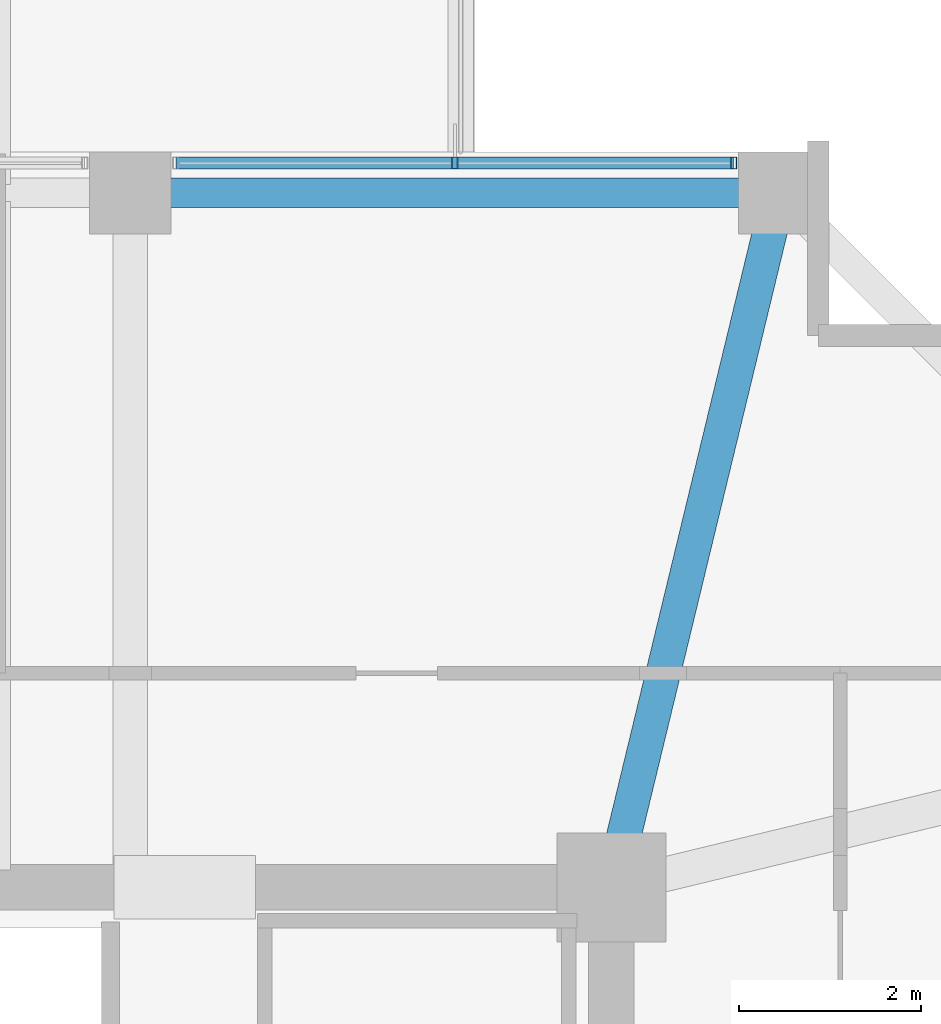
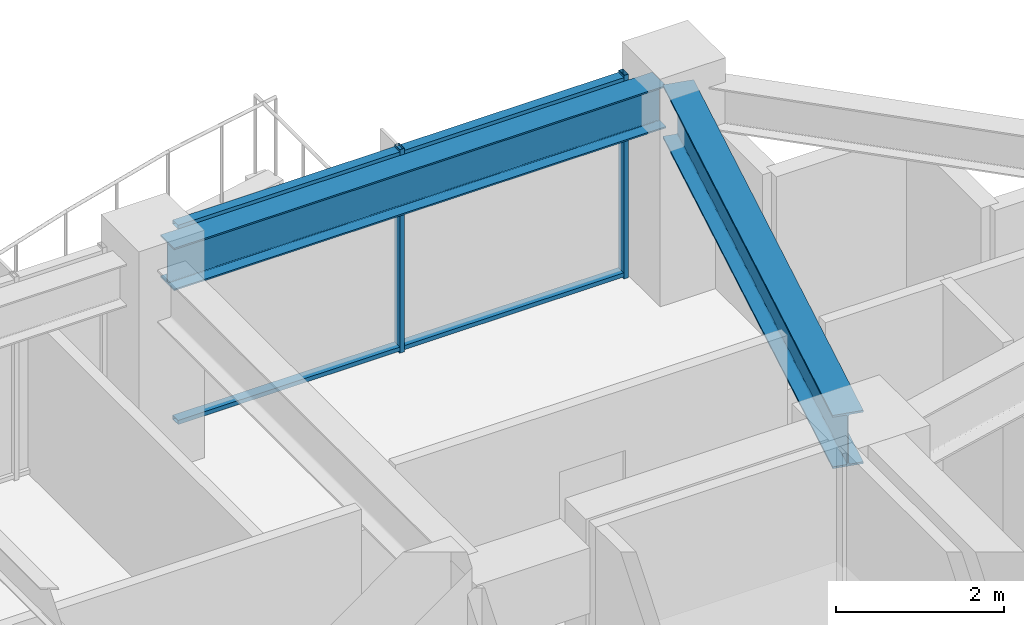
# One storey, part 19 of 31: 4 members, 2 beams, 1 element without a shape of its own.
"""IFC4 building model written with IfcOpenShell, lengths in metres."""

from ifc_helpers import new_model, si_unit, direction, frame, origin, origin_2d, place, context, subcontext, project, spatial, hollow_rectangle, i_section, extrude, material, material_profile, profile_set, type_object, element, aggregate, save


model = new_model("IFC4")

# Units and contexts
model_context = context("Model", 3, precision=1e-05, world=origin(), true_north=direction((0.0, 1.0)))
body_context = subcontext(model_context, "Body", "Model", "MODEL_VIEW")
ifc_project = project(units=[si_unit("LENGTHUNIT", "METRE"), si_unit("AREAUNIT", "SQUARE_METRE"), si_unit("VOLUMEUNIT", "CUBIC_METRE"), si_unit("PLANEANGLEUNIT", "RADIAN"), si_unit("MASSUNIT", "GRAM", prefix="KILO")], contexts=[model_context])

# Site, building, storey
site_placement = place(None, origin())
site = spatial("IfcSite", under=ifc_project, at=site_placement, CompositionType="ELEMENT")
building_placement = place(site_placement, origin())
building = spatial("IfcBuilding", under=site, at=building_placement, Name="Kolvaren Belvedere", CompositionType="ELEMENT")
storey_placement = place(building_placement, frame((0.0, 0.0, 144.800048828125)))
storey = spatial("IfcBuildingStorey", under=building, at=storey_placement, Name="L42", CompositionType="ELEMENT", Elevation=144.800048828125)

# Beams
ifc_material_1 = material(Name="Structural steel ASTM A992 Grade 50", Category="steel")
ifc_material_profile_1 = material_profile(ifc_material_1, i_section(OverallWidth=0.381103515625, OverallDepth=0.77294921875, WebThickness=0.0166015625, FlangeThickness=0.027099609375, FilletRadius=0.02392578125, at=origin_2d()), Name="W30X173")
ifc_profile_set_1 = profile_set([ifc_material_profile_1], Name="Structural steel ASTM A992 Grade 50")
beam_type_1 = type_object("IfcBeamType", Name="BM-GIRD-W30X173", PredefinedType="BEAM", material=ifc_profile_set_1)
beam_1_placement = place(storey_placement, frame((10.029296875, 10.4345703125, 2.5634765625), z_axis=(0.235062749937, 0.971980197119, 0.0), x_axis=(-0.971980197119, 0.235062749937, 0.0)))
element("IfcBeam", 1, at=beam_1_placement, inside=storey, type_object=beam_type_1, Name="L42 Corner Core-to-Perimeter Girder CC3-N4", PredefinedType="BEAM", context=body_context, shape_type="SweptSolid", body=[
    extrude(i_section(OverallWidth=0.381103515625, OverallDepth=0.77294921875, WebThickness=0.0166015625, FlangeThickness=0.027099609375, FilletRadius=0.02392578125, at=origin_2d()), origin(), (0.0, 0.0, 1.0), 7.140625),
])
ifc_material_2 = material(Name="Structural steel ASTM A992 Grade 50", Category="steel")
ifc_material_profile_2 = material_profile(ifc_material_2, i_section(OverallWidth=0.324951171875, OverallDepth=0.615966796875, WebThickness=0.013916015625, FlangeThickness=0.021484375, FilletRadius=0.02001953125, at=origin_2d()), Name="W24X117")
ifc_profile_set_2 = profile_set([ifc_material_profile_2], Name="Structural steel ASTM A992 Grade 50")
beam_type_2 = type_object("IfcBeamType", Name="BM-SPAN-W24X117", PredefinedType="SPANDREL", material=ifc_profile_set_2)
beam_2_placement = place(storey_placement, frame((11.547607421875, 17.550048828125, 2.641845703125), z_axis=(-1.0, 0.0, 0.0), x_axis=(0.0, -1.0, 0.0)))
element("IfcBeam", 2, at=beam_2_placement, inside=storey, type_object=beam_type_2, Name="L42 Perimeter Spandrel N4-N3", PredefinedType="SPANDREL", context=body_context, shape_type="SweptSolid", body=[
    extrude(i_section(OverallWidth=0.324951171875, OverallDepth=0.615966796875, WebThickness=0.013916015625, FlangeThickness=0.021484375, FilletRadius=0.02001953125, at=origin_2d()), origin(), (0.0, 0.0, 1.0), 6.7451171875),
])

# Curtain wall, members
ifc_material_3 = material(Name="Anodised pale-metal aluminium AA 6063-T6", Category="aluminium")
curtain_wall_type = type_object("IfcCurtainWallType", Name="CW-Z3-WAIST", PredefinedType="NOTDEFINED", material=ifc_material_3)
curtain_wall_placement = place(storey_placement, origin())
curtain_wall = element("IfcCurtainWall", 3, at=curtain_wall_placement, inside=storey, type_object=curtain_wall_type, Name="L42 Unitised Curtain Wall FCW-L42-N2-B2", PredefinedType="NOTDEFINED")
ifc_material_4 = material(Name="Anodised pale-metal aluminium AA 6063-T6", Category="aluminium")
ifc_material_profile_3 = material_profile(ifc_material_4, hollow_rectangle(XDim=0.06494140625, YDim=0.1298828125, WallThickness=0.00390625, at=origin_2d()), Name="ALU-MUL-130X65")
ifc_profile_set_3 = profile_set([ifc_material_profile_3], Name="Anodised pale-metal aluminium AA 6063-T6")
member_type_1 = type_object("IfcMemberType", Name="CW-MUL-130", PredefinedType="MULLION", material=ifc_profile_set_3)
member_1_placement = place(storey_placement, frame((8.175048828125, 17.8798828125, 0.0), z_axis=(0.0, 0.0, 1.0), x_axis=(1.0, 0.0, 0.0)))
member_1 = element("IfcMember", 4, at=member_1_placement, type_object=member_type_1, Name="FCW-L42-N2-B2 Unitised Mullion 2", PredefinedType="MULLION", context=body_context, shape_type="SweptSolid", body=[
    extrude(hollow_rectangle(XDim=0.06494140625, YDim=0.1298828125, WallThickness=0.00390625, at=origin_2d()), origin(), (0.0, 0.0, 1.0), 2.949951171875),
])
member_2_placement = place(storey_placement, frame((11.24755859375, 17.8798828125, 0.0), z_axis=(0.0, 0.0, 1.0), x_axis=(1.0, 0.0, 0.0)))
member_2 = element("IfcMember", 5, at=member_2_placement, type_object=member_type_1, Name="FCW-L42-N2-B2 Unitised Mullion 3", PredefinedType="MULLION", context=body_context, shape_type="SweptSolid", body=[
    extrude(hollow_rectangle(XDim=0.06494140625, YDim=0.1298828125, WallThickness=0.00390625, at=origin_2d()), origin(), (0.0, 0.0, 1.0), 2.949951171875),
])
ifc_material_5 = material(Name="Anodised pale-metal aluminium AA 6063-T6", Category="aluminium")
ifc_material_profile_4 = material_profile(ifc_material_5, hollow_rectangle(XDim=0.06005859375, YDim=0.1298828125, WallThickness=0.00390625, at=origin_2d()), Name="ALU-TRN-130X60")
ifc_profile_set_4 = profile_set([ifc_material_profile_4], Name="Anodised pale-metal aluminium AA 6063-T6")
member_type_2 = type_object("IfcMemberType", Name="CW-TRN-130", PredefinedType="USERDEFINED", material=ifc_profile_set_4)
member_3_placement = place(storey_placement, frame((5.1025390625, 17.8798828125, 0.06005859375), z_axis=(1.0, 0.0, 0.0), x_axis=(0.0, 0.0, 1.0)))
member_3 = element("IfcMember", 6, at=member_3_placement, type_object=member_type_2, Name="FCW-L42-N2-B2 Sill Transom", ObjectType="TRANSOM", PredefinedType="USERDEFINED", context=body_context, shape_type="SweptSolid", body=[
    extrude(hollow_rectangle(XDim=0.06005859375, YDim=0.1298828125, WallThickness=0.00390625, at=origin_2d()), origin(), (0.0, 0.0, 1.0), 6.14501953125),
])
member_4_placement = place(storey_placement, frame((5.1025390625, 17.8798828125, 2.889892578125), z_axis=(1.0, 0.0, 0.0), x_axis=(0.0, 0.0, 1.0)))
member_4 = element("IfcMember", 7, at=member_4_placement, type_object=member_type_2, Name="FCW-L42-N2-B2 Head Transom", ObjectType="TRANSOM", PredefinedType="USERDEFINED", context=body_context, shape_type="SweptSolid", body=[
    extrude(hollow_rectangle(XDim=0.06005859375, YDim=0.1298828125, WallThickness=0.00390625, at=origin_2d()), origin(), (0.0, 0.0, 1.0), 6.14501953125),
])
aggregate(curtain_wall, [member_1, member_2, member_3, member_4])

save(model, "model.ifc")
